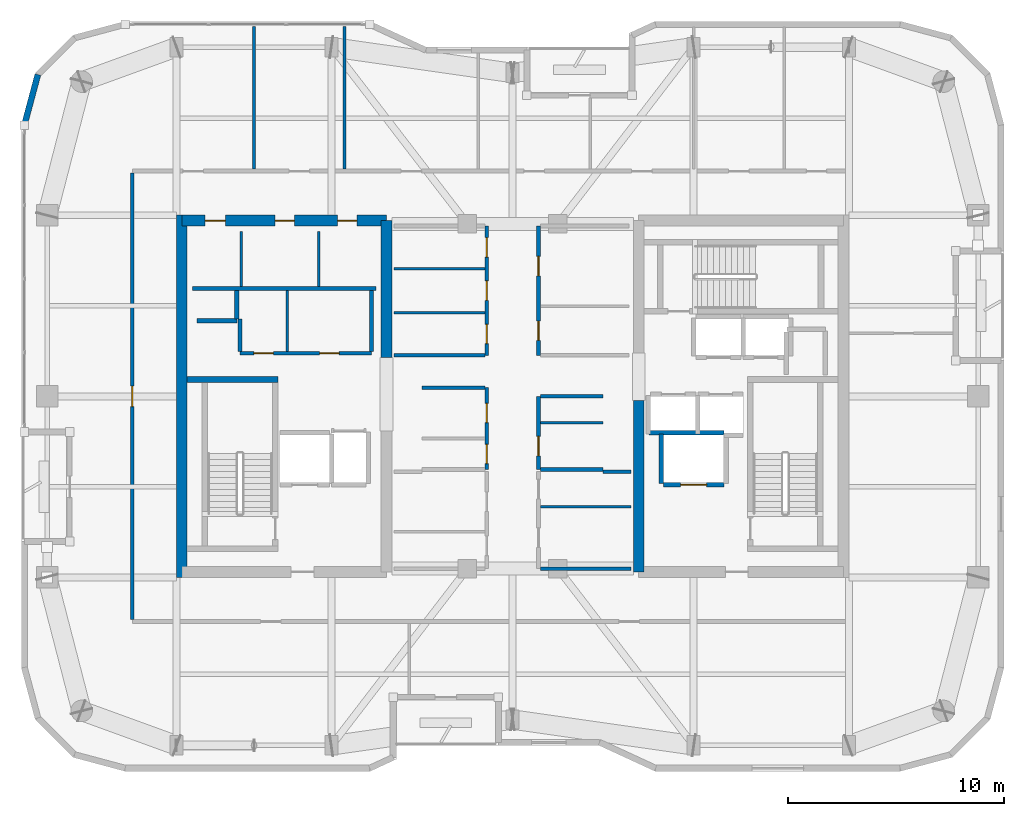
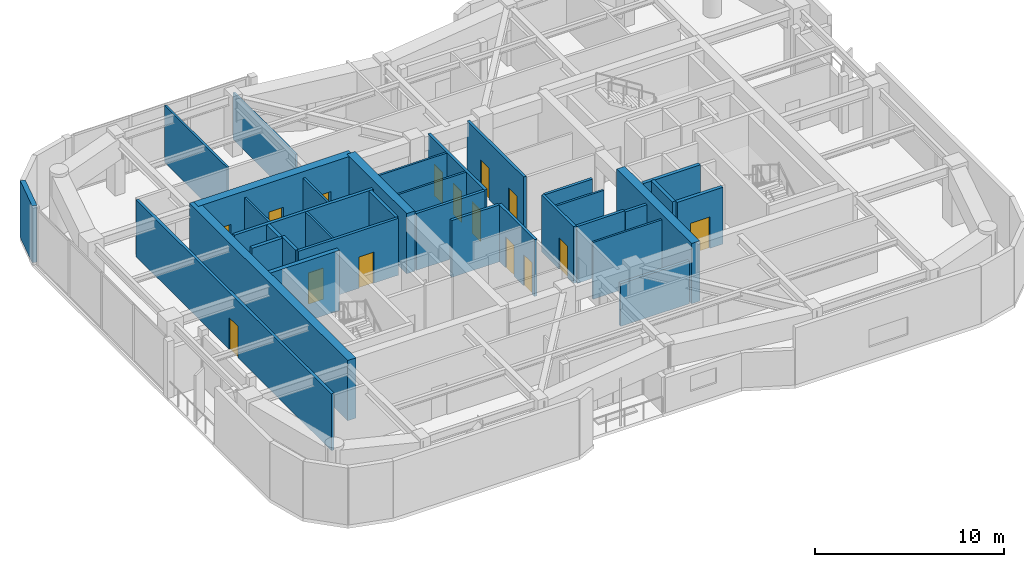
# One storey, part 11 of 15: 35 walls, 15 doors, 15 openings.
"""IFC4 building model written with IfcOpenShell, lengths in metres."""

from ifc_helpers import new_model, si_unit, direction, frame, frame_2d, origin, place, context, subcontext, project, spatial, rectangle, extrude, material, layer, layer_set, type_object, element, fill, save


model = new_model("IFC4")

# Units and contexts
model_context = context("Model", 3, precision=1e-05, world=origin(), true_north=direction((0.0, 1.0)))
body_context = subcontext(model_context, "Body", "Model", "MODEL_VIEW")
ifc_project = project(units=[si_unit("LENGTHUNIT", "METRE"), si_unit("AREAUNIT", "SQUARE_METRE"), si_unit("VOLUMEUNIT", "CUBIC_METRE"), si_unit("PLANEANGLEUNIT", "RADIAN"), si_unit("MASSUNIT", "GRAM", prefix="KILO")], contexts=[model_context])

# Site, building, storey
site_placement = place(None, origin())
site = spatial("IfcSite", under=ifc_project, at=site_placement, CompositionType="ELEMENT")
building_placement = place(site_placement, origin())
building = spatial("IfcBuilding", under=site, at=building_placement, Name="Kiyonajd Concourse Tower", CompositionType="ELEMENT")
storey_placement = place(building_placement, frame((0.0, 0.0, 274.5)))
storey = spatial("IfcBuildingStorey", under=building, at=storey_placement, Name="L69", CompositionType="ELEMENT", Elevation=274.5)

# Walls
ifc_material_1 = material(Name="Concrete C60/75", Category="concrete")
ifc_layer_1 = layer(ifc_material_1, 0.5)
ifc_layer_set_1 = layer_set([ifc_layer_1], Name="Concrete C60/75")
wall_type_1 = type_object("IfcWallType", Name="WL-CORE-500", PredefinedType="SHEAR", material=ifc_layer_set_1)
wall_1_placement = place(storey_placement, frame((32.64990234375, 27.60009765625, 0.0), z_axis=(0.0, 0.0, 1.0), x_axis=(0.0, 1.0, 0.0)))
element("IfcWall", 1, at=wall_1_placement, inside=storey, type_object=wall_type_1, Name="L69 West Core Outer Shear Wall", PredefinedType="SHEAR", context=body_context, shape_type="SweptSolid", body=[
    extrude(rectangle(XDim=16.7998046875, YDim=0.5, at=frame_2d((8.39990234375, 0.0))), origin(), (0.0, 0.0, 1.0), 3.89990234375),
])
wall_2_placement = place(storey_placement, frame((42.14990234375, 37.800048828125, 0.0), z_axis=(0.0, 0.0, 1.0), x_axis=(0.0, 1.0, 0.0)))
element("IfcWall", 2, at=wall_2_placement, inside=storey, type_object=wall_type_1, Name="L69 West Core Inner North Shear Wall", PredefinedType="SHEAR", context=body_context, shape_type="SweptSolid", body=[
    extrude(rectangle(XDim=6.349853515625, YDim=0.5, at=frame_2d((3.1748046875, 0.0))), origin(), (0.0, 0.0, 1.0), 3.89990234375),
])

# Wall, openings, doors
wall_3_placement = place(storey_placement, frame((32.64990234375, 44.14990234375, 0.0), z_axis=(0.0, 0.0, 1.0), x_axis=(1.0, 0.0, 0.0)))
wall_3 = element("IfcWall", 3, at=wall_3_placement, inside=storey, type_object=wall_type_1, Name="L69 West Core North Shear Wall", PredefinedType="SHEAR", context=body_context, shape_type="SweptSolid", body=[
    extrude(rectangle(XDim=9.5, YDim=0.5, at=frame_2d((4.75, 0.0))), origin(), (0.0, 0.0, 1.0), 3.89990234375),
])
opening_1_placement = place(wall_3_placement, frame((1.074951171875, 0.0, 0.0)))
opening_1 = element("IfcOpeningElement", 4, at=opening_1_placement, cuts=wall_3, Name="Opening DI1", PredefinedType="OPENING", context=body_context, shape_type="SweptSolid", body=[
    extrude(rectangle(XDim=0.949951171875, YDim=2.0400390625, at=frame_2d((0.47509765625, 1.02001953125))), frame((0.0, 0.260009765625, 0.0), z_axis=(0.0, -1.0, 0.0), x_axis=(1.0, 0.0, 0.0)), (0.0, 0.0, 1.0), 0.52001953125),
])
opening_2_placement = place(wall_3_placement, frame((4.324951171875, 0.0, 0.0)))
opening_2 = element("IfcOpeningElement", 5, at=opening_2_placement, cuts=wall_3, Name="Opening DI2", PredefinedType="OPENING", context=body_context, shape_type="SweptSolid", body=[
    extrude(rectangle(XDim=0.89990234375, YDim=2.02001953125, at=frame_2d((0.449951171875, 1.010009765625))), frame((0.0, 0.260009765625, 0.0), z_axis=(0.0, -1.0, 0.0), x_axis=(1.0, 0.0, 0.0)), (0.0, 0.0, 1.0), 0.52001953125),
])
opening_3_placement = place(wall_3_placement, frame((7.22509765625, 0.0, 0.0)))
opening_3 = element("IfcOpeningElement", 6, at=opening_3_placement, cuts=wall_3, Name="Opening DI2", PredefinedType="OPENING", context=body_context, shape_type="SweptSolid", body=[
    extrude(rectangle(XDim=0.89990234375, YDim=2.02001953125, at=frame_2d((0.449951171875, 1.010009765625))), frame((0.0, 0.260009765625, 0.0), z_axis=(0.0, -1.0, 0.0), x_axis=(1.0, 0.0, 0.0)), (0.0, 0.0, 1.0), 0.52001953125),
])
ifc_material_2 = material(Name="Natural Oak Acoustic Timber Veneer", Category="wood")
door_type_1 = type_object("IfcDoorType", Name="DR-INT-900", OperationType="NOTDEFINED", PredefinedType="DOOR", material=ifc_material_2)
door_1_placement = place(opening_2_placement, origin())
door_1 = element("IfcDoor", 7, at=door_1_placement, inside=storey, type_object=door_type_1, Name="L69 Male Restroom Door", OperationType="SINGLE_SWING_RIGHT", OverallHeight=2.02001953125, OverallWidth=0.89990234375, PredefinedType="DOOR", context=body_context, shape_type="SweptSolid", body=[
    extrude(rectangle(XDim=0.89990234375, YDim=2.02001953125, at=frame_2d((0.449951171875, 1.010009765625))), frame((0.0, 0.02490234375, 0.0), z_axis=(0.0, -1.0, 0.0), x_axis=(1.0, 0.0, 0.0)), (0.0, 0.0, 1.0), 0.050048828125),
])
fill(opening_2, door_1)
door_2_placement = place(opening_3_placement, origin())
door_2 = element("IfcDoor", 8, at=door_2_placement, inside=storey, type_object=door_type_1, Name="L69 Female Restroom Door", OperationType="SINGLE_SWING_LEFT", OverallHeight=2.02001953125, OverallWidth=0.89990234375, PredefinedType="DOOR", context=body_context, shape_type="SweptSolid", body=[
    extrude(rectangle(XDim=0.89990234375, YDim=2.02001953125, at=frame_2d((0.449951171875, 1.010009765625))), frame((0.0, 0.02490234375, 0.0), z_axis=(0.0, -1.0, 0.0), x_axis=(1.0, 0.0, 0.0)), (0.0, 0.0, 1.0), 0.050048828125),
])
fill(opening_3, door_2)
door_type_2 = type_object("IfcDoorType", Name="DR-INT-950", OperationType="NOTDEFINED", PredefinedType="DOOR", material=ifc_material_2)
door_3_placement = place(opening_1_placement, origin())
door_3 = element("IfcDoor", 9, at=door_3_placement, inside=storey, type_object=door_type_2, Name="L69 Single User Accessible WC Door", OperationType="SINGLE_SWING_LEFT", OverallHeight=2.0400390625, OverallWidth=0.949951171875, PredefinedType="DOOR", context=body_context, shape_type="SweptSolid", body=[
    extrude(rectangle(XDim=0.949951171875, YDim=2.0400390625, at=frame_2d((0.47509765625, 1.02001953125))), frame((0.0, 0.02490234375, 0.0), z_axis=(0.0, -1.0, 0.0), x_axis=(1.0, 0.0, 0.0)), (0.0, 0.0, 1.0), 0.050048828125),
])
fill(opening_1, door_3)

# Walls
wall_4_placement = place(storey_placement, frame((53.85009765625, 27.85009765625, 0.0), z_axis=(0.0, 0.0, 1.0), x_axis=(0.0, 1.0, 0.0)))
element("IfcWall", 10, at=wall_4_placement, inside=storey, type_object=wall_type_1, Name="L69 East Core Inner South Shear Wall", PredefinedType="SHEAR", context=body_context, shape_type="SweptSolid", body=[
    extrude(rectangle(XDim=7.949951171875, YDim=0.5, at=frame_2d((3.97509765625, 0.0))), origin(), (0.0, 0.0, 1.0), 3.89990234375),
])
ifc_material_3 = material(Name="Precast concrete C50/60", Category="concrete")
ifc_layer_2 = layer(ifc_material_3, 0.280029296875)
ifc_layer_set_2 = layer_set([ifc_layer_2], Name="Precast concrete C50/60")
wall_type_2 = type_object("IfcWallType", Name="WL-EXT-280", PredefinedType="SOLIDWALL", material=ifc_layer_set_2)
wall_5_placement = place(storey_placement, frame((25.340087890625, 48.58154296875, 0.0), z_axis=(0.0, 0.0, 1.0), x_axis=(0.258751159445, 0.965944013639, 0.0)))
element("IfcWall", 11, at=wall_5_placement, inside=storey, type_object=wall_type_2, Name="L69 Exterior Concrete Frame Wall 06", PredefinedType="SOLIDWALL", context=body_context, shape_type="SweptSolid", body=[
    extrude(rectangle(XDim=2.4287109375, YDim=0.280029296875, at=frame_2d((1.21435546875, 0.0))), origin(), (0.0, 0.0, 1.0), 3.679931640625),
])
ifc_material_4 = material(Name="Gypsum Board on Cold-Formed Steel Stud", Category="steel")
ifc_layer_3 = layer(ifc_material_4, 0.125)
ifc_layer_set_3 = layer_set([ifc_layer_3], Name="Gypsum Board on Cold-Formed Steel Stud")
wall_type_3 = type_object("IfcWallType", Name="WL-PART-125", PredefinedType="PARTITIONING", material=ifc_layer_set_3)
for number, where, z_axis, x_axis, name in (
    (12, (35.39990234375, 41.094970703125, 0.0), (0.0, 0.0, 1.0), (0.0, 1.0, 0.0), "L69 Interior Partition Wall"),
    (13, (39.0, 41.094970703125, 0.0), (0.0, 0.0, 1.0), (0.0, 1.0, 0.0), "L69 Interior Partition Wall"),
):
    element("IfcWall", number, at=place(storey_placement, frame(where, z_axis=z_axis, x_axis=x_axis)), inside=storey, type_object=wall_type_3, Name=name, PredefinedType="PARTITIONING", context=body_context, shape_type="SweptSolid", body=[
        extrude(rectangle(XDim=2.554931640625, YDim=0.125, at=frame_2d((1.27734375, 0.0))), origin(), (0.0, 0.0, 1.0), 3.679931640625),
    ])
wall_6_placement = place(storey_placement, frame((37.5458984375, 38.0869140625, 0.0), z_axis=(0.0, 0.0, 1.0), x_axis=(0.0, 1.0, 0.0)))
element("IfcWall", 14, at=wall_6_placement, inside=storey, type_object=wall_type_3, Name="L69 Interior Partition Wall", PredefinedType="PARTITIONING", context=body_context, shape_type="SweptSolid", body=[
    extrude(rectangle(XDim=2.81298828125, YDim=0.125, at=frame_2d((1.406494140625, 0.0))), origin(), (0.0, 0.0, 1.0), 3.679931640625),
])
wall_7_placement = place(storey_placement, frame((49.287109375, 34.77587890625, 0.0), z_axis=(0.0, 0.0, 1.0), x_axis=(1.0, 0.0, 0.0)))
element("IfcWall", 15, at=wall_7_placement, inside=storey, type_object=wall_type_3, Name="L69 Interior Partition Wall", PredefinedType="PARTITIONING", context=body_context, shape_type="SweptSolid", body=[
    extrude(rectangle(XDim=2.912841796875, YDim=0.125, at=frame_2d((1.45654296875, 0.0))), origin(), (0.0, 0.0, 1.0), 3.679931640625),
])
for number, where, z_axis, x_axis, name in (
    (16, (49.287109375, 30.8798828125, 0.0), (0.0, 0.0, 1.0), (1.0, 0.0, 0.0), "L69 Interior Partition Wall"),
    (17, (42.5, 39.8798828125, 0.0), (0.0, 0.0, 1.0), (1.0, 0.0, 0.0), "L69 Interior Partition Wall"),
    (18, (42.5, 41.919921875, 0.0), (0.0, 0.0, 1.0), (1.0, 0.0, 0.0), "L69 Interior Partition Wall"),
):
    element("IfcWall", number, at=place(storey_placement, frame(where, z_axis=z_axis, x_axis=x_axis)), inside=storey, type_object=wall_type_3, Name=name, PredefinedType="PARTITIONING", context=body_context, shape_type="SweptSolid", body=[
        extrude(rectangle(XDim=4.212890625, YDim=0.125, at=frame_2d((2.1064453125, 0.0))), origin(), (0.0, 0.0, 1.0), 3.679931640625),
    ])
wall_8_placement = place(storey_placement, frame((36.0, 46.537109375, 0.0), z_axis=(0.0, 0.0, 1.0), x_axis=(0.0, 1.0, 0.0)))
element("IfcWall", 19, at=wall_8_placement, inside=storey, type_object=wall_type_3, Name="L69 Interior Partition Wall", PredefinedType="PARTITIONING", context=body_context, shape_type="SweptSolid", body=[
    extrude(rectangle(XDim=6.6279296875, YDim=0.125, at=frame_2d((3.31396484375, 0.0))), origin(), (0.0, 0.0, 1.0), 3.679931640625),
])
wall_9_placement = place(storey_placement, frame((40.199951171875, 46.537109375, 0.0), z_axis=(0.0, 0.0, 1.0), x_axis=(0.0, 1.0, 0.0)))
element("IfcWall", 20, at=wall_9_placement, inside=storey, type_object=wall_type_3, Name="L69 Interior Partition Wall", PredefinedType="PARTITIONING", context=body_context, shape_type="SweptSolid", body=[
    extrude(rectangle(XDim=6.6279296875, YDim=0.125, at=frame_2d((3.31396484375, 0.0))), origin(), (0.0, 0.0, 1.0), 3.04296875),
])
ifc_layer_4 = layer(ifc_material_4, 0.18994140625)
ifc_layer_set_4 = layer_set([ifc_layer_4], Name="Gypsum Board on Cold-Formed Steel Stud")
wall_type_4 = type_object("IfcWallType", Name="WL-PLMB-190", PredefinedType="PLUMBINGWALL", material=ifc_layer_set_4)
wall_10_placement = place(storey_placement, frame((33.14990234375, 41.0, 0.0), z_axis=(0.0, 0.0, 1.0), x_axis=(1.0, 0.0, 0.0)))
element("IfcWall", 21, at=wall_10_placement, inside=storey, type_object=wall_type_4, Name="L69 Interior Partition Wall", PredefinedType="PLUMBINGWALL", context=body_context, shape_type="SweptSolid", body=[
    extrude(rectangle(XDim=8.5, YDim=0.18994140625, at=frame_2d((4.25, 0.0))), origin(), (0.0, 0.0, 1.0), 3.679931640625),
])
ifc_layer_5 = layer(ifc_material_4, 0.2099609375)
ifc_layer_set_5 = layer_set([ifc_layer_5], Name="Gypsum Board on Cold-Formed Steel Stud")
wall_type_5 = type_object("IfcWallType", Name="WL-SHAFT-210", PredefinedType="PARTITIONING", material=ifc_layer_set_5)
wall_11_placement = place(storey_placement, frame((33.360107421875, 39.5, 0.0), z_axis=(0.0, 0.0, 1.0), x_axis=(1.0, 0.0, 0.0)))
element("IfcWall", 22, at=wall_11_placement, inside=storey, type_object=wall_type_5, Name="L69 Shaft Enclosure Wall", PredefinedType="PARTITIONING", context=body_context, shape_type="SweptSolid", body=[
    extrude(rectangle(XDim=1.85986328125, YDim=0.2099609375, at=frame_2d((0.929931640625, 0.0))), origin(), (0.0, 0.0, 1.0), 3.679931640625),
])
wall_12_placement = place(storey_placement, frame((35.199951171875, 39.580078125, 0.0), z_axis=(0.0, 0.0, 1.0), x_axis=(0.0, 1.0, 0.0)))
element("IfcWall", 23, at=wall_12_placement, inside=storey, type_object=wall_type_5, Name="L69 Shaft Enclosure Wall", PredefinedType="PARTITIONING", context=body_context, shape_type="SweptSolid", body=[
    extrude(rectangle(XDim=1.31982421875, YDim=0.2099609375, at=frame_2d((0.659912109375, 0.0))), origin(), (0.0, 0.0, 1.0), 3.679931640625),
])

# Wall, opening, door
wall_13_placement = place(storey_placement, frame((55.0, 31.89990234375, 0.0), z_axis=(0.0, 0.0, 1.0), x_axis=(1.0, 0.0, 0.0)))
wall_13 = element("IfcWall", 24, at=wall_13_placement, inside=storey, type_object=wall_type_5, Name="L69 Shaft Enclosure Wall", PredefinedType="PARTITIONING", context=body_context, shape_type="SweptSolid", body=[
    extrude(rectangle(XDim=2.800048828125, YDim=0.2099609375, at=frame_2d((1.39990234375, 0.0))), origin(), (0.0, 0.0, 1.0), 3.679931640625),
])
opening_4_placement = place(wall_13_placement, frame((0.800048828125, 0.0, 0.0)))
opening_4 = element("IfcOpeningElement", 25, at=opening_4_placement, cuts=wall_13, Name="Opening LD2", PredefinedType="OPENING", context=body_context, shape_type="SweptSolid", body=[
    extrude(rectangle(XDim=1.199951171875, YDim=2.0400390625, at=frame_2d((0.60009765625, 1.02001953125))), frame((0.0, 0.114990234375, 0.0), z_axis=(0.0, -1.0, 0.0), x_axis=(1.0, 0.0, 0.0)), (0.0, 0.0, 1.0), 0.22998046875),
])
ifc_material_5 = material(Name="Brushed Stainless Steel Cab Assembly", Category="steel")
door_type_3 = type_object("IfcDoorType", Name="DR-LD-1200", OperationType="DOUBLE_DOOR_SLIDING", PredefinedType="DOOR", material=ifc_material_5)
door_4_placement = place(opening_4_placement, origin())
door_4 = element("IfcDoor", 26, at=door_4_placement, inside=storey, type_object=door_type_3, Name="L69 Lift FFL2 Sliding Landing Door", OperationType="DOUBLE_DOOR_SLIDING", OverallHeight=2.0400390625, OverallWidth=1.199951171875, PredefinedType="DOOR", context=body_context, shape_type="SweptSolid", body=[
    extrude(rectangle(XDim=1.199951171875, YDim=2.0400390625, at=frame_2d((0.60009765625, 1.02001953125))), frame((0.0, 0.02490234375, 0.0), z_axis=(0.0, -1.0, 0.0), x_axis=(1.0, 0.0, 0.0)), (0.0, 0.0, 1.0), 0.050048828125),
])
fill(opening_4, door_4)

# Walls
wall_14_placement = place(storey_placement, frame((54.320068359375, 34.300048828125, 0.0), z_axis=(0.0, 0.0, 1.0), x_axis=(1.0, 0.0, 0.0)))
element("IfcWall", 27, at=wall_14_placement, inside=storey, type_object=wall_type_5, Name="L69 Shaft Enclosure Wall", PredefinedType="PARTITIONING", context=body_context, shape_type="SweptSolid", body=[
    extrude(rectangle(XDim=3.47998046875, YDim=0.2099609375, at=frame_2d((1.739990234375, 0.0))), origin(), (0.0, 0.0, 1.0), 3.679931640625),
])
wall_15_placement = place(storey_placement, frame((54.89990234375, 31.9599609375, 0.0), z_axis=(0.0, 0.0, 1.0), x_axis=(0.0, 1.0, 0.0)))
element("IfcWall", 28, at=wall_15_placement, inside=storey, type_object=wall_type_5, Name="L69 Shaft Enclosure Wall", PredefinedType="PARTITIONING", context=body_context, shape_type="SweptSolid", body=[
    extrude(rectangle(XDim=2.280029296875, YDim=0.2099609375, at=frame_2d((1.14013671875, 0.0))), origin(), (0.0, 0.0, 1.0), 3.679931640625),
])

# Wall, openings, doors
ifc_layer_6 = layer(ifc_material_4, 0.169921875)
ifc_layer_set_6 = layer_set([ifc_layer_6], Name="Gypsum Board on Cold-Formed Steel Stud")
wall_type_6 = type_object("IfcWallType", Name="WL-SMK-170", PredefinedType="PARTITIONING", material=ifc_layer_set_6)
wall_16_placement = place(storey_placement, frame((35.35009765625, 38.0, 0.0), z_axis=(0.0, 0.0, 1.0), x_axis=(1.0, 0.0, 0.0)))
wall_16 = element("IfcWall", 29, at=wall_16_placement, inside=storey, type_object=wall_type_6, Name="L69 Interior Partition Wall", PredefinedType="PARTITIONING", context=body_context, shape_type="SweptSolid", body=[
    extrude(rectangle(XDim=6.099853515625, YDim=0.169921875, at=frame_2d((3.0498046875, 0.0))), origin(), (0.0, 0.0, 1.0), 3.679931640625),
])
opening_5_placement = place(wall_16_placement, frame((0.64794921875, 0.0, 0.0)))
opening_5 = element("IfcOpeningElement", 30, at=opening_5_placement, cuts=wall_16, Name="Opening DI2", PredefinedType="OPENING", context=body_context, shape_type="SweptSolid", body=[
    extrude(rectangle(XDim=0.89990234375, YDim=2.02001953125, at=frame_2d((0.449951171875, 1.010009765625))), frame((0.0, 0.094970703125, 0.0), z_axis=(0.0, -1.0, 0.0), x_axis=(1.0, 0.0, 0.0)), (0.0, 0.0, 1.0), 0.18994140625),
])
opening_6_placement = place(wall_16_placement, frame((3.697998046875, 0.0, 0.0)))
opening_6 = element("IfcOpeningElement", 31, at=opening_6_placement, cuts=wall_16, Name="Opening DI2", PredefinedType="OPENING", context=body_context, shape_type="SweptSolid", body=[
    extrude(rectangle(XDim=0.89990234375, YDim=2.02001953125, at=frame_2d((0.449951171875, 1.010009765625))), frame((0.0, 0.094970703125, 0.0), z_axis=(0.0, -1.0, 0.0), x_axis=(1.0, 0.0, 0.0)), (0.0, 0.0, 1.0), 0.18994140625),
])
door_5_placement = place(opening_5_placement, origin())
door_5 = element("IfcDoor", 32, at=door_5_placement, inside=storey, type_object=door_type_1, Name="L69 Interior Door", OperationType="SINGLE_SWING_RIGHT", OverallHeight=2.02001953125, OverallWidth=0.89990234375, PredefinedType="DOOR", context=body_context, shape_type="SweptSolid", body=[
    extrude(rectangle(XDim=0.89990234375, YDim=2.02001953125, at=frame_2d((0.449951171875, 1.010009765625))), frame((0.0, 0.02490234375, 0.0), z_axis=(0.0, -1.0, 0.0), x_axis=(1.0, 0.0, 0.0)), (0.0, 0.0, 1.0), 0.050048828125),
])
fill(opening_5, door_5)
door_6_placement = place(opening_6_placement, origin())
door_6 = element("IfcDoor", 33, at=door_6_placement, inside=storey, type_object=door_type_1, Name="L69 Interior Door", OperationType="SINGLE_SWING_LEFT", OverallHeight=2.02001953125, OverallWidth=0.89990234375, PredefinedType="DOOR", context=body_context, shape_type="SweptSolid", body=[
    extrude(rectangle(XDim=0.89990234375, YDim=2.02001953125, at=frame_2d((0.449951171875, 1.010009765625))), frame((0.0, 0.02490234375, 0.0), z_axis=(0.0, -1.0, 0.0), x_axis=(1.0, 0.0, 0.0)), (0.0, 0.0, 1.0), 0.050048828125),
])
fill(opening_6, door_6)

# Walls
wall_17_placement = place(storey_placement, frame((35.35009765625, 38.0869140625, 0.0), z_axis=(0.0, 0.0, 1.0), x_axis=(0.0, 1.0, 0.0)))
element("IfcWall", 34, at=wall_17_placement, inside=storey, type_object=wall_type_6, Name="L69 Interior Partition Wall", PredefinedType="PARTITIONING", context=body_context, shape_type="SweptSolid", body=[
    extrude(rectangle(XDim=1.4931640625, YDim=0.169921875, at=frame_2d((0.74658203125, 0.0))), origin(), (0.0, 0.0, 1.0), 3.679931640625),
])
wall_18_placement = place(storey_placement, frame((41.449951171875, 38.0869140625, 0.0), z_axis=(0.0, 0.0, 1.0), x_axis=(0.0, 1.0, 0.0)))
element("IfcWall", 35, at=wall_18_placement, inside=storey, type_object=wall_type_6, Name="L69 Interior Partition Wall", PredefinedType="PARTITIONING", context=body_context, shape_type="SweptSolid", body=[
    extrude(rectangle(XDim=2.81298828125, YDim=0.169921875, at=frame_2d((1.406494140625, 0.0))), origin(), (0.0, 0.0, 1.0), 3.679931640625),
])

# Wall, openings, doors
wall_19_placement = place(storey_placement, frame((46.800048828125, 32.60009765625, 0.0), z_axis=(0.0, 0.0, 1.0), x_axis=(0.0, 1.0, 0.0)))
wall_19 = element("IfcWall", 36, at=wall_19_placement, inside=storey, type_object=wall_type_6, Name="L69 Interior Partition Wall", PredefinedType="PARTITIONING", context=body_context, shape_type="SweptSolid", body=[
    extrude(rectangle(XDim=3.7998046875, YDim=0.169921875, at=frame_2d((1.89990234375, 0.0))), origin(), (0.0, 0.0, 1.0), 3.679931640625),
])
opening_7_placement = place(wall_19_placement, frame((0.27197265625, 0.0, 0.0)))
opening_7 = element("IfcOpeningElement", 37, at=opening_7_placement, cuts=wall_19, Name="Opening DI2", PredefinedType="OPENING", context=body_context, shape_type="SweptSolid", body=[
    extrude(rectangle(XDim=0.89990234375, YDim=2.02001953125, at=frame_2d((0.449951171875, 1.010009765625))), frame((0.0, 0.094970703125, 0.0), z_axis=(0.0, -1.0, 0.0), x_axis=(1.0, 0.0, 0.0)), (0.0, 0.0, 1.0), 0.18994140625),
])
opening_8_placement = place(wall_19_placement, frame((2.172119140625, 0.0, 0.0)))
opening_8 = element("IfcOpeningElement", 38, at=opening_8_placement, cuts=wall_19, Name="Opening DI2", PredefinedType="OPENING", context=body_context, shape_type="SweptSolid", body=[
    extrude(rectangle(XDim=0.89990234375, YDim=2.02001953125, at=frame_2d((0.449951171875, 1.010009765625))), frame((0.0, 0.094970703125, 0.0), z_axis=(0.0, -1.0, 0.0), x_axis=(1.0, 0.0, 0.0)), (0.0, 0.0, 1.0), 0.18994140625),
])
door_7_placement = place(opening_7_placement, origin())
door_7 = element("IfcDoor", 39, at=door_7_placement, inside=storey, type_object=door_type_1, Name="L69 Interior Door", OperationType="SINGLE_SWING_RIGHT", OverallHeight=2.02001953125, OverallWidth=0.89990234375, PredefinedType="DOOR", context=body_context, shape_type="SweptSolid", body=[
    extrude(rectangle(XDim=0.89990234375, YDim=2.02001953125, at=frame_2d((0.449951171875, 1.010009765625))), frame((0.0, 0.02490234375, 0.0), z_axis=(0.0, -1.0, 0.0), x_axis=(1.0, 0.0, 0.0)), (0.0, 0.0, 1.0), 0.050048828125),
])
fill(opening_7, door_7)
door_8_placement = place(opening_8_placement, origin())
door_8 = element("IfcDoor", 40, at=door_8_placement, inside=storey, type_object=door_type_1, Name="L69 Interior Door", OperationType="SINGLE_SWING_LEFT", OverallHeight=2.02001953125, OverallWidth=0.89990234375, PredefinedType="DOOR", context=body_context, shape_type="SweptSolid", body=[
    extrude(rectangle(XDim=0.89990234375, YDim=2.02001953125, at=frame_2d((0.449951171875, 1.010009765625))), frame((0.0, 0.02490234375, 0.0), z_axis=(0.0, -1.0, 0.0), x_axis=(1.0, 0.0, 0.0)), (0.0, 0.0, 1.0), 0.050048828125),
])
fill(opening_8, door_8)

# Wall
wall_20_placement = place(storey_placement, frame((43.800048828125, 36.39990234375, 0.0), z_axis=(0.0, 0.0, 1.0), x_axis=(1.0, 0.0, 0.0)))
element("IfcWall", 41, at=wall_20_placement, inside=storey, type_object=wall_type_6, Name="L69 Interior Partition Wall", PredefinedType="PARTITIONING", context=body_context, shape_type="SweptSolid", body=[
    extrude(rectangle(XDim=2.912841796875, YDim=0.169921875, at=frame_2d((1.45654296875, 0.0))), origin(), (0.0, 0.0, 1.0), 3.679931640625),
])

# Wall, opening, door
wall_21_placement = place(storey_placement, frame((49.199951171875, 32.60009765625, 0.0), z_axis=(0.0, 0.0, 1.0), x_axis=(0.0, 1.0, 0.0)))
wall_21 = element("IfcWall", 42, at=wall_21_placement, inside=storey, type_object=wall_type_6, Name="L69 Interior Partition Wall", PredefinedType="PARTITIONING", context=body_context, shape_type="SweptSolid", body=[
    extrude(rectangle(XDim=3.39990234375, YDim=0.169921875, at=frame_2d((1.699951171875, 0.0))), origin(), (0.0, 0.0, 1.0), 3.679931640625),
])
opening_9_placement = place(wall_21_placement, frame((0.637939453125, 0.0, 0.0)))
opening_9 = element("IfcOpeningElement", 43, at=opening_9_placement, cuts=wall_21, Name="Opening DF4", PredefinedType="OPENING", context=body_context, shape_type="SweptSolid", body=[
    extrude(rectangle(XDim=0.89990234375, YDim=2.02001953125, at=frame_2d((0.449951171875, 1.010009765625))), frame((0.0, 0.094970703125, 0.0), z_axis=(0.0, -1.0, 0.0), x_axis=(1.0, 0.0, 0.0)), (0.0, 0.0, 1.0), 0.18994140625),
])
door_type_4 = type_object("IfcDoorType", Name="DR-FD60-900", OperationType="NOTDEFINED", PredefinedType="DOOR", material=ifc_material_5)
door_9_placement = place(opening_9_placement, origin())
door_9 = element("IfcDoor", 44, at=door_9_placement, inside=storey, type_object=door_type_4, Name="L69 Interior Door", OperationType="SINGLE_SWING_RIGHT", OverallHeight=2.02001953125, OverallWidth=0.89990234375, PredefinedType="DOOR", context=body_context, shape_type="SweptSolid", body=[
    extrude(rectangle(XDim=0.89990234375, YDim=2.02001953125, at=frame_2d((0.449951171875, 1.010009765625))), frame((0.0, 0.02490234375, 0.0), z_axis=(0.0, -1.0, 0.0), x_axis=(1.0, 0.0, 0.0)), (0.0, 0.0, 1.0), 0.050048828125),
])
fill(opening_9, door_9)

# Walls
for number, where, z_axis, x_axis, name in (
    (45, (49.287109375, 32.60009765625, 0.0), (0.0, 0.0, 1.0), (1.0, 0.0, 0.0), "L69 Interior Partition Wall"),
    (46, (49.287109375, 36.0, 0.0), (0.0, 0.0, 1.0), (1.0, 0.0, 0.0), "L69 Interior Partition Wall"),
):
    element("IfcWall", number, at=place(storey_placement, frame(where, z_axis=z_axis, x_axis=x_axis)), inside=storey, type_object=wall_type_6, Name=name, PredefinedType="PARTITIONING", context=body_context, shape_type="SweptSolid", body=[
        extrude(rectangle(XDim=2.912841796875, YDim=0.169921875, at=frame_2d((1.45654296875, 0.0))), origin(), (0.0, 0.0, 1.0), 3.679931640625),
    ])
wall_22_placement = place(storey_placement, frame((49.287109375, 28.0, 0.0), z_axis=(0.0, 0.0, 1.0), x_axis=(1.0, 0.0, 0.0)))
element("IfcWall", 47, at=wall_22_placement, inside=storey, type_object=wall_type_6, Name="L69 Interior Partition Wall", PredefinedType="PARTITIONING", context=body_context, shape_type="SweptSolid", body=[
    extrude(rectangle(XDim=4.212890625, YDim=0.169921875, at=frame_2d((2.1064453125, 0.0))), origin(), (0.0, 0.0, 1.0), 2.764892578125),
])
wall_23_placement = place(storey_placement, frame((52.199951171875, 32.5, 0.0), z_axis=(0.0, 0.0, 1.0), x_axis=(1.0, 0.0, 0.0)))
element("IfcWall", 48, at=wall_23_placement, inside=storey, type_object=wall_type_6, Name="L69 Interior Partition Wall", PredefinedType="PARTITIONING", context=body_context, shape_type="SweptSolid", body=[
    extrude(rectangle(XDim=1.300048828125, YDim=0.169921875, at=frame_2d((0.64990234375, 0.0))), origin(), (0.0, 0.0, 1.0), 3.679931640625),
])

# Wall, openings, doors
wall_24_placement = place(storey_placement, frame((46.800048828125, 37.89990234375, 0.0), z_axis=(0.0, 0.0, 1.0), x_axis=(0.0, 1.0, 0.0)))
wall_24 = element("IfcWall", 49, at=wall_24_placement, inside=storey, type_object=wall_type_6, Name="L69 Interior Partition Wall", PredefinedType="PARTITIONING", context=body_context, shape_type="SweptSolid", body=[
    extrude(rectangle(XDim=6.0, YDim=0.169921875, at=frame_2d((3.0, 0.0))), origin(), (0.0, 0.0, 1.0), 3.679931640625),
])
opening_10_placement = place(wall_24_placement, frame((0.5400390625, 0.0, 0.0)))
opening_10 = element("IfcOpeningElement", 50, at=opening_10_placement, cuts=wall_24, Name="Opening DI2", PredefinedType="OPENING", context=body_context, shape_type="SweptSolid", body=[
    extrude(rectangle(XDim=0.89990234375, YDim=2.02001953125, at=frame_2d((0.449951171875, 1.010009765625))), frame((0.0, 0.094970703125, 0.0), z_axis=(0.0, -1.0, 0.0), x_axis=(1.0, 0.0, 0.0)), (0.0, 0.0, 1.0), 0.18994140625),
])
opening_11_placement = place(wall_24_placement, frame((2.550048828125, 0.0, 0.0)))
opening_11 = element("IfcOpeningElement", 51, at=opening_11_placement, cuts=wall_24, Name="Opening DI2", PredefinedType="OPENING", context=body_context, shape_type="SweptSolid", body=[
    extrude(rectangle(XDim=0.89990234375, YDim=2.02001953125, at=frame_2d((0.449951171875, 1.010009765625))), frame((0.0, 0.094970703125, 0.0), z_axis=(0.0, -1.0, 0.0), x_axis=(1.0, 0.0, 0.0)), (0.0, 0.0, 1.0), 0.18994140625),
])
opening_12_placement = place(wall_24_placement, frame((4.56005859375, 0.0, 0.0)))
opening_12 = element("IfcOpeningElement", 52, at=opening_12_placement, cuts=wall_24, Name="Opening DI2", PredefinedType="OPENING", context=body_context, shape_type="SweptSolid", body=[
    extrude(rectangle(XDim=0.89990234375, YDim=2.02001953125, at=frame_2d((0.449951171875, 1.010009765625))), frame((0.0, 0.094970703125, 0.0), z_axis=(0.0, -1.0, 0.0), x_axis=(1.0, 0.0, 0.0)), (0.0, 0.0, 1.0), 0.18994140625),
])
door_10_placement = place(opening_10_placement, origin())
door_10 = element("IfcDoor", 53, at=door_10_placement, inside=storey, type_object=door_type_1, Name="L69 Interior Door", OperationType="SINGLE_SWING_LEFT", OverallHeight=2.02001953125, OverallWidth=0.89990234375, PredefinedType="DOOR", context=body_context, shape_type="SweptSolid", body=[
    extrude(rectangle(XDim=0.89990234375, YDim=2.02001953125, at=frame_2d((0.449951171875, 1.010009765625))), frame((0.0, 0.02490234375, 0.0), z_axis=(0.0, -1.0, 0.0), x_axis=(1.0, 0.0, 0.0)), (0.0, 0.0, 1.0), 0.050048828125),
])
fill(opening_10, door_10)
door_11_placement = place(opening_11_placement, origin())
door_11 = element("IfcDoor", 54, at=door_11_placement, inside=storey, type_object=door_type_1, Name="L69 Interior Door", OperationType="SINGLE_SWING_RIGHT", OverallHeight=2.02001953125, OverallWidth=0.89990234375, PredefinedType="DOOR", context=body_context, shape_type="SweptSolid", body=[
    extrude(rectangle(XDim=0.89990234375, YDim=2.02001953125, at=frame_2d((0.449951171875, 1.010009765625))), frame((0.0, 0.02490234375, 0.0), z_axis=(0.0, -1.0, 0.0), x_axis=(1.0, 0.0, 0.0)), (0.0, 0.0, 1.0), 0.050048828125),
])
fill(opening_11, door_11)
door_12_placement = place(opening_12_placement, origin())
door_12 = element("IfcDoor", 55, at=door_12_placement, inside=storey, type_object=door_type_1, Name="L69 Interior Door", OperationType="SINGLE_SWING_LEFT", OverallHeight=2.02001953125, OverallWidth=0.89990234375, PredefinedType="DOOR", context=body_context, shape_type="SweptSolid", body=[
    extrude(rectangle(XDim=0.89990234375, YDim=2.02001953125, at=frame_2d((0.449951171875, 1.010009765625))), frame((0.0, 0.02490234375, 0.0), z_axis=(0.0, -1.0, 0.0), x_axis=(1.0, 0.0, 0.0)), (0.0, 0.0, 1.0), 0.050048828125),
])
fill(opening_12, door_12)

# Wall
wall_25_placement = place(storey_placement, frame((42.5, 37.89990234375, 0.0), z_axis=(0.0, 0.0, 1.0), x_axis=(1.0, 0.0, 0.0)))
element("IfcWall", 56, at=wall_25_placement, inside=storey, type_object=wall_type_6, Name="L69 Interior Partition Wall", PredefinedType="PARTITIONING", context=body_context, shape_type="SweptSolid", body=[
    extrude(rectangle(XDim=4.212890625, YDim=0.169921875, at=frame_2d((2.1064453125, 0.0))), origin(), (0.0, 0.0, 1.0), 3.679931640625),
])

# Wall, openings, doors
wall_26_placement = place(storey_placement, frame((49.199951171875, 37.89990234375, 0.0), z_axis=(0.0, 0.0, 1.0), x_axis=(0.0, 1.0, 0.0)))
wall_26 = element("IfcWall", 57, at=wall_26_placement, inside=storey, type_object=wall_type_6, Name="L69 Interior Partition Wall", PredefinedType="PARTITIONING", context=body_context, shape_type="SweptSolid", body=[
    extrude(rectangle(XDim=6.0, YDim=0.169921875, at=frame_2d((3.0, 0.0))), origin(), (0.0, 0.0, 1.0), 3.679931640625),
])
opening_13_placement = place(wall_26_placement, frame((0.68994140625, 0.0, 0.0)))
opening_13 = element("IfcOpeningElement", 58, at=opening_13_placement, cuts=wall_26, Name="Opening DI2", PredefinedType="OPENING", context=body_context, shape_type="SweptSolid", body=[
    extrude(rectangle(XDim=0.89990234375, YDim=2.02001953125, at=frame_2d((0.449951171875, 1.010009765625))), frame((0.0, 0.094970703125, 0.0), z_axis=(0.0, -1.0, 0.0), x_axis=(1.0, 0.0, 0.0)), (0.0, 0.0, 1.0), 0.18994140625),
])
opening_14_placement = place(wall_26_placement, frame((3.68994140625, 0.0, 0.0)))
opening_14 = element("IfcOpeningElement", 59, at=opening_14_placement, cuts=wall_26, Name="Opening DI2", PredefinedType="OPENING", context=body_context, shape_type="SweptSolid", body=[
    extrude(rectangle(XDim=0.89990234375, YDim=2.02001953125, at=frame_2d((0.449951171875, 1.010009765625))), frame((0.0, 0.094970703125, 0.0), z_axis=(0.0, -1.0, 0.0), x_axis=(1.0, 0.0, 0.0)), (0.0, 0.0, 1.0), 0.18994140625),
])
door_13_placement = place(opening_13_placement, origin())
door_13 = element("IfcDoor", 60, at=door_13_placement, inside=storey, type_object=door_type_1, Name="L69 Interior Door", OperationType="SINGLE_SWING_RIGHT", OverallHeight=2.02001953125, OverallWidth=0.89990234375, PredefinedType="DOOR", context=body_context, shape_type="SweptSolid", body=[
    extrude(rectangle(XDim=0.89990234375, YDim=2.02001953125, at=frame_2d((0.449951171875, 1.010009765625))), frame((0.0, 0.02490234375, 0.0), z_axis=(0.0, -1.0, 0.0), x_axis=(1.0, 0.0, 0.0)), (0.0, 0.0, 1.0), 0.050048828125),
])
fill(opening_13, door_13)
door_14_placement = place(opening_14_placement, origin())
door_14 = element("IfcDoor", 61, at=door_14_placement, inside=storey, type_object=door_type_1, Name="L69 Interior Door", OperationType="SINGLE_SWING_LEFT", OverallHeight=2.02001953125, OverallWidth=0.89990234375, PredefinedType="DOOR", context=body_context, shape_type="SweptSolid", body=[
    extrude(rectangle(XDim=0.89990234375, YDim=2.02001953125, at=frame_2d((0.449951171875, 1.010009765625))), frame((0.0, 0.02490234375, 0.0), z_axis=(0.0, -1.0, 0.0), x_axis=(1.0, 0.0, 0.0)), (0.0, 0.0, 1.0), 0.050048828125),
])
fill(opening_14, door_14)

# Wall, opening, door
wall_27_placement = place(storey_placement, frame((30.35009765625, 25.636962890625, 0.0), z_axis=(0.0, 0.0, 1.0), x_axis=(0.0, 1.0, 0.0)))
wall_27 = element("IfcWall", 62, at=wall_27_placement, inside=storey, type_object=wall_type_6, Name="L69 Interior Partition Wall", PredefinedType="PARTITIONING", context=body_context, shape_type="SweptSolid", body=[
    extrude(rectangle(XDim=20.72607421875, YDim=0.169921875, at=frame_2d((10.363037109375, 0.0))), origin(), (0.0, 0.0, 1.0), 3.679931640625),
])
opening_15_placement = place(wall_27_placement, frame((9.887939453125, 0.0, 0.0)))
opening_15 = element("IfcOpeningElement", 63, at=opening_15_placement, cuts=wall_27, Name="Opening DI1", PredefinedType="OPENING", context=body_context, shape_type="SweptSolid", body=[
    extrude(rectangle(XDim=0.949951171875, YDim=2.0400390625, at=frame_2d((0.47509765625, 1.02001953125))), frame((0.0, 0.094970703125, 0.0), z_axis=(0.0, -1.0, 0.0), x_axis=(1.0, 0.0, 0.0)), (0.0, 0.0, 1.0), 0.18994140625),
])
door_15_placement = place(opening_15_placement, origin())
door_15 = element("IfcDoor", 64, at=door_15_placement, inside=storey, type_object=door_type_2, Name="L69 Interior Door", OperationType="SINGLE_SWING_LEFT", OverallHeight=2.0400390625, OverallWidth=0.949951171875, PredefinedType="DOOR", context=body_context, shape_type="SweptSolid", body=[
    extrude(rectangle(XDim=0.949951171875, YDim=2.0400390625, at=frame_2d((0.47509765625, 1.02001953125))), frame((0.0, 0.02490234375, 0.0), z_axis=(0.0, -1.0, 0.0), x_axis=(1.0, 0.0, 0.0)), (0.0, 0.0, 1.0), 0.050048828125),
])
fill(opening_15, door_15)

# Wall
ifc_material_6 = material(Name="Concrete C50/60", Category="concrete")
ifc_layer_7 = layer(ifc_material_6, 0.260009765625)
ifc_layer_set_7 = layer_set([ifc_layer_7], Name="Concrete C50/60")
wall_type_7 = type_object("IfcWallType", Name="WL-STAIR-260", PredefinedType="SHEAR", material=ifc_layer_set_7)
wall_28_placement = place(storey_placement, frame((32.89990234375, 36.780029296875, 0.0), z_axis=(0.0, 0.0, 1.0), x_axis=(1.0, 0.0, 0.0)))
element("IfcWall", 65, at=wall_28_placement, inside=storey, type_object=wall_type_7, Name="L69 Stair ST1 Structural North Wall", PredefinedType="SHEAR", context=body_context, shape_type="SweptSolid", body=[
    extrude(rectangle(XDim=4.210205078125, YDim=0.260009765625, at=frame_2d((2.10498046875, 0.0))), origin(), (0.0, 0.0, 1.0), 3.89990234375),
])

save(model, "model.ifc")
